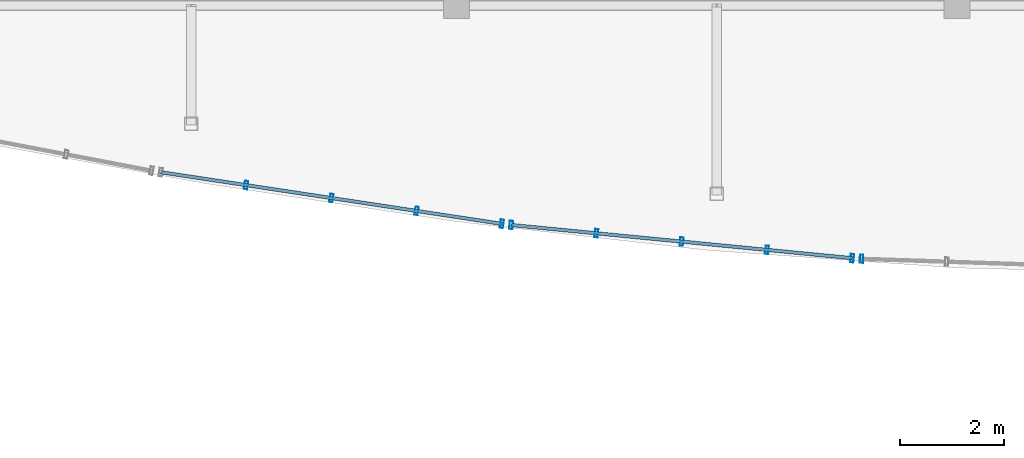
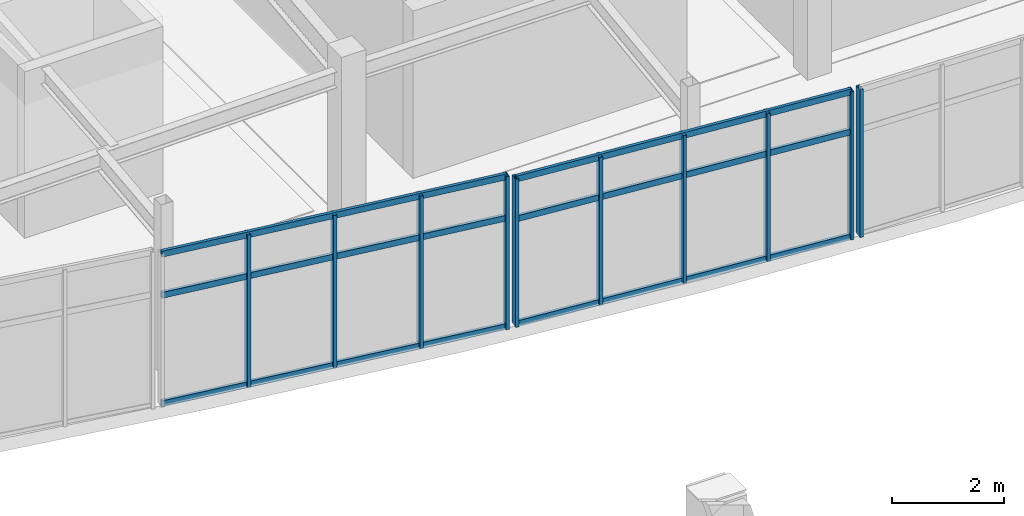
# One storey, part 22 of 65: 16 members, 3 elements without a shape of their own.
"""IFC4 building model written with IfcOpenShell, lengths in metres."""

import ifcopenshell
import ifcopenshell.guid

model = None  # the IFC model being written
_history = None  # IfcOwnerHistory: only IFC2X3 demands one
_inside = {}  # id of a spatial element -> (the spatial element, [elements in it])
_under = {}  # id of a project, library or spatial element -> (it, [spatial elements below it])
_declared = {}  # id of a project -> (the project, [libraries it declares])
_typed = {}  # id of a type object -> (the type object, [elements of that type])
_made_of = {}  # id of a material, layer set ... -> (it, [elements and type objects made of it])


def new_model(schema):
    """Start an empty IFC model of exactly this schema.

    Asked for "IFC4X3", IfcOpenShell would pick the latest addendum, in which some entities
    have other attributes; the version numbers below select the first issue.
    IFC2X3 requires an IfcOwnerHistory on every rooted entity: one is made here for all.
    """
    global model, _history
    if schema == "IFC4X3":
        model = ifcopenshell.file(schema_version=(4, 3, 0, 0))
    else:
        model = ifcopenshell.file(schema=schema)
    _inside.clear()
    _under.clear()
    _declared.clear()
    _typed.clear()
    _made_of.clear()
    _history = None
    if model.schema == "IFC2X3":
        org = make("IfcOrganization", Name="unknown")
        user = make(
            "IfcPersonAndOrganization",
            ThePerson=make("IfcPerson", FamilyName="unknown"),
            TheOrganization=org,
        )
        app = make(
            "IfcApplication",
            ApplicationDeveloper=org,
            Version="unknown",
            ApplicationFullName="unknown",
            ApplicationIdentifier="unknown",
        )
        _history = make(
            "IfcOwnerHistory",
            OwningUser=user,
            OwningApplication=app,
            ChangeAction="ADDED",
            CreationDate=0,
        )
    return model


def make(cls, **values):
    """One entity of the class cls with the attributes given. An attribute that is None is left unset."""
    return model.create_entity(
        cls, **{name: value for name, value in values.items() if value is not None}
    )


def rooted(cls, **values):
    """An entity with a GlobalId (a new one), such as an element, a storey or a relation."""
    return make(cls, GlobalId=ifcopenshell.guid.new(), OwnerHistory=_history, **values)


def si_unit(unit_type, name, prefix=None):
    """IfcSIUnit, for example si_unit("LENGTHUNIT", "METRE", prefix="MILLI")."""
    return make("IfcSIUnit", UnitType=unit_type, Prefix=prefix, Name=name)


def assignment(units):
    """IfcUnitAssignment: the units of a project."""
    return None if units is None else make("IfcUnitAssignment", Units=units)


def point(xyz):
    """IfcCartesianPoint."""
    return None if xyz is None else make("IfcCartesianPoint", Coordinates=xyz)


def direction(xyz):
    """IfcDirection."""
    return None if xyz is None else make("IfcDirection", DirectionRatios=xyz)


def frame(location, z_axis=None, x_axis=None):
    """IfcAxis2Placement3D, a coordinate frame: its origin and axes. An axis left out is left unset."""
    return make(
        "IfcAxis2Placement3D",
        Location=point(location),
        Axis=direction(z_axis),
        RefDirection=direction(x_axis),
    )


def frame_2d(location, x_axis=None):
    """IfcAxis2Placement2D, a coordinate frame in the plane: its origin and x axis."""
    return make(
        "IfcAxis2Placement2D", Location=point(location), RefDirection=direction(x_axis)
    )


def origin():
    """The frame at (0, 0, 0) with its axes left unset."""
    return frame((0.0, 0.0, 0.0))


def origin_2d():
    """The frame at (0, 0) in the plane with its x axis left unset."""
    return frame_2d((0.0, 0.0))


def place(relative_to, where):
    """IfcLocalPlacement: puts the frame where relative to a parent placement (None: the world)."""
    return make(
        "IfcLocalPlacement", PlacementRelTo=relative_to, RelativePlacement=where
    )


def context(
    kind, dimensions, precision=None, world=None, true_north=None, identifier=None
):
    """IfcGeometricRepresentationContext, for example the 3D "Model" context."""
    return make(
        "IfcGeometricRepresentationContext",
        ContextIdentifier=identifier,
        ContextType=kind,
        CoordinateSpaceDimension=dimensions,
        Precision=precision,
        WorldCoordinateSystem=world,
        TrueNorth=true_north,
    )


def subcontext(parent, identifier, kind, view, scale=None):
    """IfcGeometricRepresentationSubContext, for example "Body" below "Model"."""
    return make(
        "IfcGeometricRepresentationSubContext",
        ContextIdentifier=identifier,
        ContextType=kind,
        ParentContext=parent,
        TargetScale=scale,
        TargetView=view,
    )


def project(units=None, contexts=None):
    """IfcProject with its units and contexts."""
    return rooted(
        "IfcProject",
        Name="project",
        RepresentationContexts=contexts,
        UnitsInContext=assignment(units),
    )


def spatial(cls, under=None, at=None, **own):
    """A site, building, storey or space (cls), placed at a placement, below another one or the project."""
    s = rooted(cls, ObjectPlacement=at, **own)
    if under is not None:
        _under.setdefault(under.id(), (under, []))[1].append(s)
    return s


def profile(cls, at=None, kind="AREA", **sizes):
    """A parametric profile (cls). Its sizes go by their IFC names, for example OverallWidth=200.0."""
    return make(cls, ProfileType=kind, Position=at, **sizes)


def hollow_rectangle(**sizes):
    """IfcRectangleHollowProfileDef."""
    return profile("IfcRectangleHollowProfileDef", **sizes)


def extrude(swept, where, along, depth):
    """IfcExtrudedAreaSolid: the profile swept, set in the frame where, extruded along a direction by depth."""
    return make(
        "IfcExtrudedAreaSolid",
        SweptArea=swept,
        Position=where,
        ExtrudedDirection=direction(along),
        Depth=depth,
    )


def shape(context_of_items, identifier, shape_type, items):
    """IfcShapeRepresentation: the items that make up one representation, for example the "Body"."""
    return make(
        "IfcShapeRepresentation",
        ContextOfItems=context_of_items,
        RepresentationIdentifier=identifier,
        RepresentationType=shape_type,
        Items=items,
    )


def material(Name=None, Category=None):
    """IfcMaterial."""
    return make("IfcMaterial", Name=Name, Category=Category)


def layer(
    of_material, thickness, ventilated=None, Name=None, Category=None, Priority=None
):
    """IfcMaterialLayer: one layer of a wall or slab, of a material (None: an air gap)."""
    return make(
        "IfcMaterialLayer",
        Material=of_material,
        LayerThickness=thickness,
        IsVentilated=ventilated,
        Name=Name,
        Category=Category,
        Priority=Priority,
    )


def layer_set(layers, Name=None):
    """IfcMaterialLayerSet."""
    return make("IfcMaterialLayerSet", MaterialLayers=layers, LayerSetName=Name)


def material_profile(
    of_material, cross_section, Name=None, Category=None, Priority=None
):
    """IfcMaterialProfile: a cross section and its material."""
    return make(
        "IfcMaterialProfile",
        Name=Name,
        Material=of_material,
        Profile=cross_section,
        Priority=Priority,
        Category=Category,
    )


def profile_set(profiles, Name=None, composite=None):
    """IfcMaterialProfileSet."""
    return make(
        "IfcMaterialProfileSet",
        Name=Name,
        MaterialProfiles=profiles,
        CompositeProfile=composite,
    )


def made_of(thing, what):
    """Note that an element or type object is made of a material, layer set ...; save() writes the relation."""
    if what is not None:
        _made_of.setdefault(what.id(), (what, []))[1].append(thing)
    return thing


def type_object(cls, material=None, **own):
    """A type object (cls), such as IfcWallType, which elements share."""
    return made_of(rooted(cls, **own), material)


def element(
    cls,
    number,
    at=None,
    inside=None,
    cuts=None,
    type_object=None,
    material=None,
    context=None,
    identifier="Body",
    shape_type=None,
    held_by="IfcProductDefinitionShape",
    body=None,
    shapes=None,
    **own,
):
    """One element of the class cls, such as IfcWall. Its Tag is "e" and its number.

    at: its placement. inside: the storey or other place that contains it. cuts: it is an
    opening in that element (IfcRelVoidsElement). A single representation is given by context,
    identifier, shape_type and body (its items); several are given by shapes. held_by: the class
    of the entity that holds the representations. save() writes the other relations.
    """
    e = rooted(cls, Tag="e%d" % number, ObjectPlacement=at, **own)
    if body is not None:
        shapes = [shape(context, identifier, shape_type, body)]
    if shapes is not None:
        e.Representation = make(held_by, Representations=shapes)
    if inside is not None:
        _inside.setdefault(inside.id(), (inside, []))[1].append(e)
    if cuts is not None:
        rooted(
            "IfcRelVoidsElement", RelatingBuildingElement=cuts, RelatedOpeningElement=e
        )
    if type_object is not None:
        _typed.setdefault(type_object.id(), (type_object, []))[1].append(e)
    return made_of(e, material)


def aggregate(whole, parts):
    """IfcRelAggregates: a whole, such as a stair, and the parts it consists of."""
    return rooted("IfcRelAggregates", RelatingObject=whole, RelatedObjects=parts)


def save(model, path):
    """Write the relations noted so far, then the file.

    IfcRelAggregates (storeys below a building ...), IfcRelContainedInSpatialStructure (elements
    in a storey), IfcRelDefinesByType, IfcRelAssociatesMaterial and IfcRelDeclares: one each for
    every whole, place, type object, material and project.
    """
    for whole, parts in _under.values():
        aggregate(whole, parts)
    for where, things in _inside.values():
        rooted(
            "IfcRelContainedInSpatialStructure",
            RelatedElements=things,
            RelatingStructure=where,
        )
    for kind, things in _typed.values():
        rooted("IfcRelDefinesByType", RelatedObjects=things, RelatingType=kind)
    for what, things in _made_of.values():
        rooted("IfcRelAssociatesMaterial", RelatedObjects=things, RelatingMaterial=what)
    for by, libraries in _declared.values():
        rooted("IfcRelDeclares", RelatingContext=by, RelatedDefinitions=libraries)
    model.write(path)


model = new_model("IFC4")

# Units and contexts
model_context = context("Model", 3, precision=1e-05, world=origin(), true_north=direction((0.0, 1.0)))
body_context = subcontext(model_context, "Body", "Model", "MODEL_VIEW")
ifc_project = project(units=[si_unit("LENGTHUNIT", "METRE"), si_unit("AREAUNIT", "SQUARE_METRE"), si_unit("VOLUMEUNIT", "CUBIC_METRE"), si_unit("PLANEANGLEUNIT", "RADIAN"), si_unit("MASSUNIT", "GRAM", prefix="KILO")], contexts=[model_context])

# Site, building, storey
site_placement = place(None, origin())
site = spatial("IfcSite", under=ifc_project, at=site_placement, CompositionType="ELEMENT")
building_placement = place(site_placement, origin())
building = spatial("IfcBuilding", under=site, at=building_placement, Name="Chalmorin Arch Market", CompositionType="ELEMENT")
storey_placement = place(building_placement, frame((0.0, 0.0, 14.10009765625)))
storey = spatial("IfcBuildingStorey", under=building, at=storey_placement, Name="L03", CompositionType="ELEMENT", Elevation=14.10009765625)

# Curtain wall, members
ifc_material = material(Name="Aluminium 6063-T6", Category="aluminium")
ifc_layer_1 = layer(ifc_material, 0.159912109375)
ifc_layer_set_1 = layer_set([ifc_layer_1], Name="Aluminium 6063-T6")
curtain_wall_type_1 = type_object("IfcCurtainWallType", Name="CulinaryStudioCurtainWall-CW3-6620x3330", PredefinedType="NOTDEFINED", material=ifc_layer_set_1)
curtain_wall_1_placement = place(storey_placement, origin())
curtain_wall_1 = element("IfcCurtainWall", 1, at=curtain_wall_1_placement, inside=storey, type_object=curtain_wall_type_1, Name="CW-03-158", PredefinedType="NOTDEFINED")
ifc_material_profile_1 = material_profile(ifc_material, hollow_rectangle(XDim=0.06494140625, YDim=0.159912109375, WallThickness=0.00390625, at=origin_2d()), Name="ALU65X160X4")
ifc_profile_set_1 = profile_set([ifc_material_profile_1], Name="Aluminium 6063-T6")
member_type_1 = type_object("IfcMemberType", Name="CurtainWallMullion-65x160", PredefinedType="MULLION", material=ifc_profile_set_1)
member_1_placement = place(storey_placement, frame((63.16455078125, 68.554931640625, -0.02001953125), z_axis=(0.0, 0.0, 1.0), x_axis=(0.987688340595, -0.15643446504, 0.0)))
member_1 = element("IfcMember", 2, at=member_1_placement, type_object=member_type_1, Name="ML-158-02", PredefinedType="MULLION", context=body_context, shape_type="SweptSolid", body=[
    extrude(hollow_rectangle(XDim=0.06494140625, YDim=0.159912109375, WallThickness=0.00390625, at=origin_2d()), origin(), (0.0, 0.0, 1.0), 3.3330078125),
])
member_2_placement = place(storey_placement, frame((64.800048828125, 68.3076171875, -0.02001953125), z_axis=(0.0, 0.0, 1.0), x_axis=(0.987688340595, -0.15643446504, 0.0)))
member_2 = element("IfcMember", 3, at=member_2_placement, type_object=member_type_1, Name="ML-158-03", PredefinedType="MULLION", context=body_context, shape_type="SweptSolid", body=[
    extrude(hollow_rectangle(XDim=0.06494140625, YDim=0.159912109375, WallThickness=0.00390625, at=origin_2d()), origin(), (0.0, 0.0, 1.0), 3.3330078125),
])
member_3_placement = place(storey_placement, frame((66.435546875, 68.06005859375, -0.02001953125), z_axis=(0.0, 0.0, 1.0), x_axis=(0.987688340595, -0.15643446504, 0.0)))
member_3 = element("IfcMember", 4, at=member_3_placement, type_object=member_type_1, Name="ML-158-04", PredefinedType="MULLION", context=body_context, shape_type="SweptSolid", body=[
    extrude(hollow_rectangle(XDim=0.06494140625, YDim=0.159912109375, WallThickness=0.00390625, at=origin_2d()), origin(), (0.0, 0.0, 1.0), 3.3330078125),
])
member_4_placement = place(storey_placement, frame((68.071044921875, 67.8125, -0.02001953125), z_axis=(0.0, 0.0, 1.0), x_axis=(0.987688340595, -0.15643446504, 0.0)))
member_4 = element("IfcMember", 5, at=member_4_placement, type_object=member_type_1, Name="ML-158-05", PredefinedType="MULLION", context=body_context, shape_type="SweptSolid", body=[
    extrude(hollow_rectangle(XDim=0.06494140625, YDim=0.159912109375, WallThickness=0.00390625, at=origin_2d()), origin(), (0.0, 0.0, 1.0), 3.3330078125),
])

ifc_layer_2 = layer(ifc_material, 0.159912109375)
ifc_layer_set_2 = layer_set([ifc_layer_2], Name="Aluminium 6063-T6")
curtain_wall_type_2 = type_object("IfcCurtainWallType", Name="CulinaryStudioCurtainWall-CW3-6570x3230", PredefinedType="NOTDEFINED", material=ifc_layer_set_2)
curtain_wall_2_placement = place(storey_placement, origin())
curtain_wall_2 = element("IfcCurtainWall", 6, at=curtain_wall_2_placement, inside=storey, type_object=curtain_wall_type_2, Name="CW-03-161", PredefinedType="NOTDEFINED")
member_5_placement = place(storey_placement, frame((68.24951171875, 67.790283203125, -0.02001953125), z_axis=(0.0, 0.0, 1.0), x_axis=(0.994521895368, -0.104528463268, 0.0)))
member_5 = element("IfcMember", 7, at=member_5_placement, type_object=member_type_1, Name="ML-161-01", PredefinedType="MULLION", context=body_context, shape_type="SweptSolid", body=[
    extrude(hollow_rectangle(XDim=0.06494140625, YDim=0.159912109375, WallThickness=0.00390625, at=origin_2d()), origin(), (0.0, 0.0, 1.0), 3.22998046875),
])
member_6_placement = place(storey_placement, frame((69.884765625, 67.631103515625, -0.02001953125), z_axis=(0.0, 0.0, 1.0), x_axis=(0.994521895368, -0.104528463268, 0.0)))
member_6 = element("IfcMember", 8, at=member_6_placement, type_object=member_type_1, Name="ML-161-02", PredefinedType="MULLION", context=body_context, shape_type="SweptSolid", body=[
    extrude(hollow_rectangle(XDim=0.06494140625, YDim=0.159912109375, WallThickness=0.00390625, at=origin_2d()), origin(), (0.0, 0.0, 1.0), 3.22998046875),
])
member_7_placement = place(storey_placement, frame((71.52001953125, 67.471923828125, -0.02001953125), z_axis=(0.0, 0.0, 1.0), x_axis=(0.994521895368, -0.104528463268, 0.0)))
member_7 = element("IfcMember", 9, at=member_7_placement, type_object=member_type_1, Name="ML-161-03", PredefinedType="MULLION", context=body_context, shape_type="SweptSolid", body=[
    extrude(hollow_rectangle(XDim=0.06494140625, YDim=0.159912109375, WallThickness=0.00390625, at=origin_2d()), origin(), (0.0, 0.0, 1.0), 3.22998046875),
])
member_8_placement = place(storey_placement, frame((73.1552734375, 67.312744140625, -0.02001953125), z_axis=(0.0, 0.0, 1.0), x_axis=(0.994521895368, -0.104528463268, 0.0)))
member_8 = element("IfcMember", 10, at=member_8_placement, type_object=member_type_1, Name="ML-161-04", PredefinedType="MULLION", context=body_context, shape_type="SweptSolid", body=[
    extrude(hollow_rectangle(XDim=0.06494140625, YDim=0.159912109375, WallThickness=0.00390625, at=origin_2d()), origin(), (0.0, 0.0, 1.0), 3.22998046875),
])
member_9_placement = place(storey_placement, frame((74.790283203125, 67.15380859375, -0.02001953125), z_axis=(0.0, 0.0, 1.0), x_axis=(0.994521895368, -0.104528463268, 0.0)))
member_9 = element("IfcMember", 11, at=member_9_placement, type_object=member_type_1, Name="ML-161-05", PredefinedType="MULLION", context=body_context, shape_type="SweptSolid", body=[
    extrude(hollow_rectangle(XDim=0.06494140625, YDim=0.159912109375, WallThickness=0.00390625, at=origin_2d()), origin(), (0.0, 0.0, 1.0), 3.22998046875),
])

# Curtain wall, member
ifc_layer_3 = layer(ifc_material, 0.159912109375)
ifc_layer_set_3 = layer_set([ifc_layer_3], Name="Aluminium 6063-T6")
curtain_wall_type_3 = type_object("IfcCurtainWallType", Name="CulinaryStudioCurtainWall-CW3-6540x3220", PredefinedType="NOTDEFINED", material=ifc_layer_set_3)
curtain_wall_3_placement = place(storey_placement, origin())
curtain_wall_3 = element("IfcCurtainWall", 12, at=curtain_wall_3_placement, inside=storey, type_object=curtain_wall_type_3, Name="CW-03-164", PredefinedType="NOTDEFINED")
member_10_placement = place(storey_placement, frame((74.969970703125, 67.14208984375, -0.02001953125), z_axis=(0.0, 0.0, 1.0), x_axis=(0.999390827019, -0.034899496703, 0.0)))
member_10 = element("IfcMember", 13, at=member_10_placement, type_object=member_type_1, Name="ML-164-01", PredefinedType="MULLION", context=body_context, shape_type="SweptSolid", body=[
    extrude(hollow_rectangle(XDim=0.06494140625, YDim=0.159912109375, WallThickness=0.00390625, at=origin_2d()), origin(), (0.0, 0.0, 1.0), 3.219970703125),
])
aggregate(curtain_wall_3, [member_10])

# Member
ifc_material_profile_2 = material_profile(ifc_material, hollow_rectangle(XDim=0.06494140625, YDim=0.1298828125, WallThickness=0.00390625, at=origin_2d()), Name="ALU65X130X4")
ifc_profile_set_2 = profile_set([ifc_material_profile_2], Name="Aluminium 6063-T6")
member_type_2 = type_object("IfcMemberType", Name="CurtainWallTransom-65x130", PredefinedType="USERDEFINED", material=ifc_profile_set_2)
member_11_placement = place(storey_placement, frame((61.529052734375, 68.802490234375, 0.014892578125), z_axis=(0.988742814157, -0.149625022817, 0.0), x_axis=(0.149625022817, 0.988742814157, 0.0)))
member_11 = element("IfcMember", 14, at=member_11_placement, type_object=member_type_2, Name="TR-158-01", ObjectType="TRANSOM", PredefinedType="USERDEFINED", context=body_context, shape_type="SweptSolid", body=[
    extrude(hollow_rectangle(XDim=0.06494140625, YDim=0.1298828125, WallThickness=0.00390625, at=origin_2d()), origin(), (0.0, 0.0, 1.0), 6.616455078125),
])

member_12_placement = place(storey_placement, frame((61.529052734375, 68.802490234375, 2.379638671875), z_axis=(0.988742814157, -0.149625022817, 0.0), x_axis=(0.149625022817, 0.988742814157, 0.0)))
member_12 = element("IfcMember", 15, at=member_12_placement, type_object=member_type_2, Name="TR-158-02", ObjectType="TRANSOM", PredefinedType="USERDEFINED", context=body_context, shape_type="SweptSolid", body=[
    extrude(hollow_rectangle(XDim=0.06494140625, YDim=0.1298828125, WallThickness=0.00390625, at=origin_2d()), origin(), (0.0, 0.0, 1.0), 6.616455078125),
])

member_13_placement = place(storey_placement, frame((61.529052734375, 68.802490234375, 3.27783203125), z_axis=(0.988742814157, -0.149625022817, 0.0), x_axis=(0.149625022817, 0.988742814157, 0.0)))
member_13 = element("IfcMember", 16, at=member_13_placement, type_object=member_type_2, Name="TR-158-03", ObjectType="TRANSOM", PredefinedType="USERDEFINED", context=body_context, shape_type="SweptSolid", body=[
    extrude(hollow_rectangle(XDim=0.06494140625, YDim=0.1298828125, WallThickness=0.00390625, at=origin_2d()), origin(), (0.0, 0.0, 1.0), 6.616455078125),
])

aggregate(curtain_wall_1, [member_1, member_2, member_3, member_4, member_11, member_12, member_13])

member_14_placement = place(storey_placement, frame((68.24951171875, 67.790283203125, 0.014892578125), z_axis=(0.995298859057, -0.096851335357, 0.0), x_axis=(0.096851335357, 0.995298859057, 0.0)))
member_14 = element("IfcMember", 17, at=member_14_placement, type_object=member_type_2, Name="TR-161-01", ObjectType="TRANSOM", PredefinedType="USERDEFINED", context=body_context, shape_type="SweptSolid", body=[
    extrude(hollow_rectangle(XDim=0.06494140625, YDim=0.1298828125, WallThickness=0.00390625, at=origin_2d()), origin(), (0.0, 0.0, 1.0), 6.57177734375),
])

member_15_placement = place(storey_placement, frame((68.24951171875, 67.790283203125, 2.305419921875), z_axis=(0.995298859057, -0.096851335357, 0.0), x_axis=(0.096851335357, 0.995298859057, 0.0)))
member_15 = element("IfcMember", 18, at=member_15_placement, type_object=member_type_2, Name="TR-161-02", ObjectType="TRANSOM", PredefinedType="USERDEFINED", context=body_context, shape_type="SweptSolid", body=[
    extrude(hollow_rectangle(XDim=0.06494140625, YDim=0.1298828125, WallThickness=0.00390625, at=origin_2d()), origin(), (0.0, 0.0, 1.0), 6.57177734375),
])

member_16_placement = place(storey_placement, frame((68.24951171875, 67.790283203125, 3.1748046875), z_axis=(0.995298859057, -0.096851335357, 0.0), x_axis=(0.096851335357, 0.995298859057, 0.0)))
member_16 = element("IfcMember", 19, at=member_16_placement, type_object=member_type_2, Name="TR-161-03", ObjectType="TRANSOM", PredefinedType="USERDEFINED", context=body_context, shape_type="SweptSolid", body=[
    extrude(hollow_rectangle(XDim=0.06494140625, YDim=0.1298828125, WallThickness=0.00390625, at=origin_2d()), origin(), (0.0, 0.0, 1.0), 6.57177734375),
])

aggregate(curtain_wall_2, [member_5, member_6, member_7, member_8, member_9, member_14, member_15, member_16])

save(model, "model.ifc")
